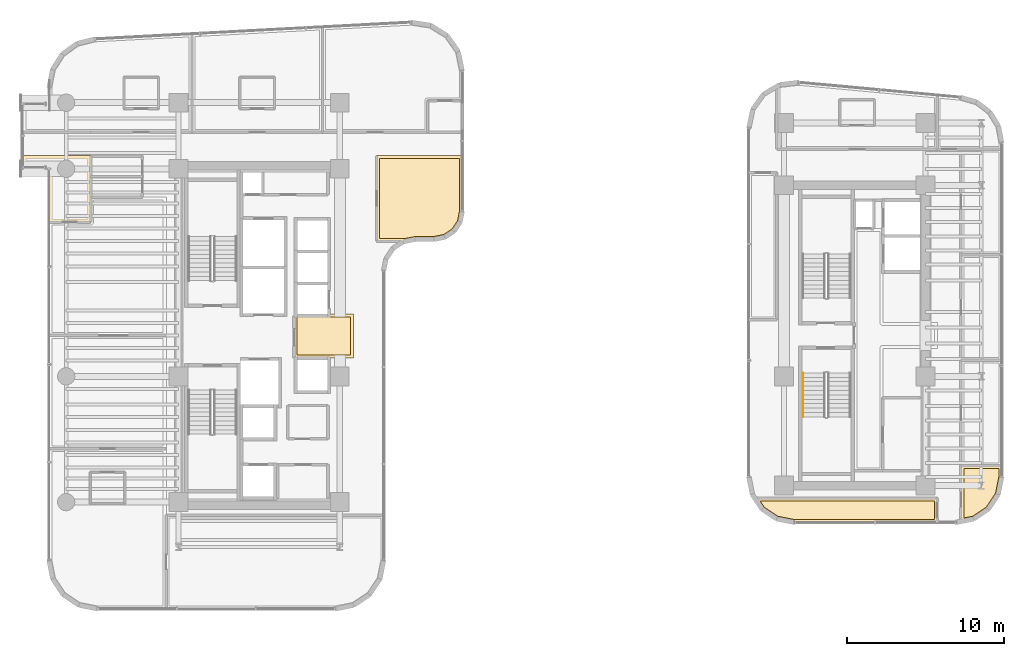
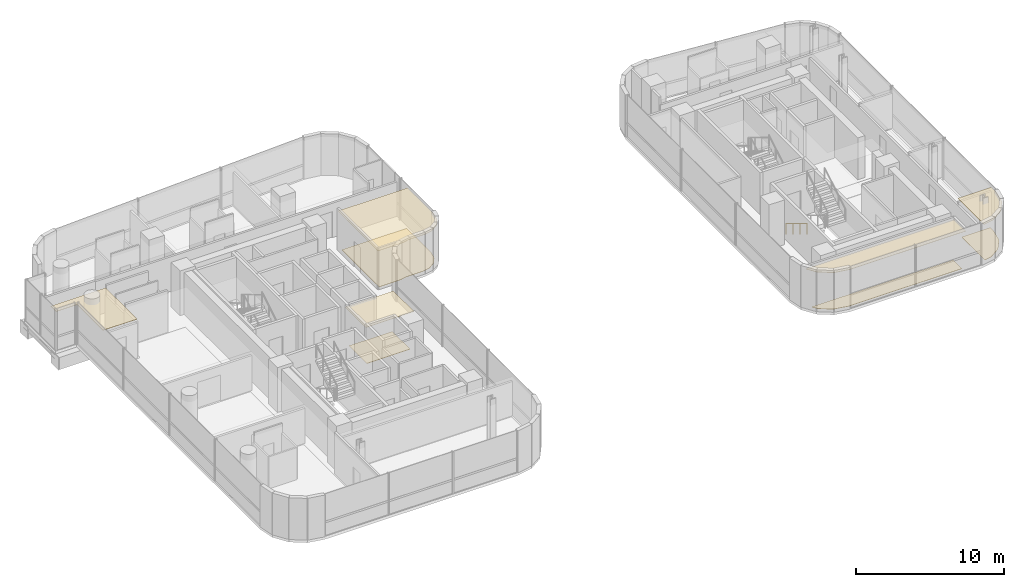
# One storey, part 31 of 33: 9 coverings, 1 railing.
"""IFC4 building model written with IfcOpenShell, lengths in metres."""

from ifc_helpers import new_model, si_unit, direction, frame, origin, origin_2d, place, context, subcontext, project, spatial, polyline, circle, outline, extrude, material, layer, layer_set, type_object, element, save


model = new_model("IFC4")

# Units and contexts
model_context = context("Model", 3, precision=1e-05, world=origin(), true_north=direction((0.0, 1.0)))
body_context = subcontext(model_context, "Body", "Model", "MODEL_VIEW")
ifc_project = project(units=[si_unit("LENGTHUNIT", "METRE"), si_unit("AREAUNIT", "SQUARE_METRE"), si_unit("VOLUMEUNIT", "CUBIC_METRE"), si_unit("PLANEANGLEUNIT", "RADIAN"), si_unit("MASSUNIT", "GRAM", prefix="KILO")], contexts=[model_context])

# Site, building, storey
site_placement = place(None, origin())
site = spatial("IfcSite", under=ifc_project, at=site_placement, CompositionType="ELEMENT")
building_placement = place(site_placement, origin())
building = spatial("IfcBuilding", under=site, at=building_placement, Name="Valdorenza Pilgrim Sanctuary Tower", CompositionType="ELEMENT")
storey_placement = place(building_placement, frame((0.0, 0.0, 157.5)))
storey = spatial("IfcBuildingStorey", under=building, at=storey_placement, Name="L40", CompositionType="ELEMENT", Elevation=157.5)

# Coverings
ifc_material_1 = material(Name="Micro-perforated acoustic mineral ceiling tile", Category="gypsum")
ifc_layer_1 = layer(ifc_material_1, 0.02490234375, Name="Micro-perforated acoustic mineral ceiling tile")
ifc_layer_set_1 = layer_set([ifc_layer_1], Name="Micro-perforated acoustic mineral ceiling tile")
covering_type_1 = type_object("IfcCoveringType", Name="COV-CLG-ACU", PredefinedType="CEILING", material=ifc_layer_set_1)
covering_1_placement = place(storey_placement, frame((0.0, 0.0, 3.159912109375)))
element("IfcCovering", 1, at=covering_1_placement, inside=storey, type_object=covering_type_1, Name="L40 Core A Passenger Lift Lobby Acoustic Ceiling", PredefinedType="CEILING", context=body_context, shape_type="SweptSolid", body=[
    extrude(outline(polyline([(-15.31298828125, 1.244384765625), (-15.31298828125, 1.24462890625), (-15.313720703125, 1.24609375), (-15.314208984375, 1.24755859375), (-15.314697265625, 1.2490234375), (-15.31494140625, 1.25048828125), (-15.31494140625, 1.251953125), (-15.31494140625, 1.35009765625), (-15.31494140625, 1.3515625), (-15.314697265625, 1.352783203125), (-15.314453125, 1.3544921875), (-15.31396484375, 1.355712890625), (-15.313232421875, 1.357177734375), (-15.3125, 1.3583984375), (-15.3115234375, 1.359619140625), (-15.310546875, 1.360595703125), (-15.3095703125, 1.361572265625), (-15.308349609375, 1.362548828125), (-15.30712890625, 1.36328125), (-15.3056640625, 1.364013671875), (-15.304443359375, 1.364501953125), (-15.302978515625, 1.36474609375), (-15.301513671875, 1.364990234375), (-15.300048828125, 1.364990234375), (-15.10205078125, 1.364990234375), (-15.1005859375, 1.364990234375), (-15.09912109375, 1.36474609375), (-15.097412109375, 1.3642578125), (-15.09619140625, 1.36376953125), (-15.0947265625, 1.363037109375), (-15.094482421875, 1.363037109375), (-13.185546875, 1.363037109375), (-13.185302734375, 1.363037109375), (-13.183837890625, 1.36376953125), (-13.1826171875, 1.3642578125), (-13.180908203125, 1.36474609375), (-13.179443359375, 1.364990234375), (-13.177978515625, 1.364990234375), (-11.550048828125, 1.364990234375), (-11.548583984375, 1.364990234375), (-11.547119140625, 1.36474609375), (-11.545654296875, 1.364501953125), (-11.544189453125, 1.364013671875), (-11.54296875, 1.36328125), (-11.541748046875, 1.362548828125), (-11.54052734375, 1.361572265625), (-11.539306640625, 1.360595703125), (-11.538330078125, 1.359619140625), (-11.53759765625, 1.3583984375), (-11.536865234375, 1.357177734375), (-11.5361328125, 1.355712890625), (-11.53564453125, 1.3544921875), (-11.535400390625, 1.352783203125), (-11.53515625, 1.3515625), (-11.534912109375, 1.35009765625), (-11.534912109375, -1.419921875), (-11.53515625, -1.42138671875), (-11.535400390625, -1.4228515625), (-11.53564453125, -1.42431640625), (-11.5361328125, -1.42578125), (-11.536865234375, -1.427001953125), (-11.53759765625, -1.42822265625), (-11.538330078125, -1.429443359375), (-11.539306640625, -1.4306640625), (-11.54052734375, -1.431640625), (-11.541748046875, -1.4326171875), (-11.54296875, -1.43310546875), (-11.544189453125, -1.433837890625), (-11.545654296875, -1.434326171875), (-11.547119140625, -1.434814453125), (-11.548583984375, -1.434814453125), (-11.550048828125, -1.43505859375), (-15.298095703125, -1.43505859375), (-15.299560546875, -1.434814453125), (-15.30078125, -1.434814453125), (-15.302490234375, -1.434326171875), (-15.3037109375, -1.433837890625), (-15.30517578125, -1.43310546875), (-15.306396484375, -1.4326171875), (-15.3076171875, -1.431640625), (-15.30859375, -1.4306640625), (-15.3095703125, -1.429443359375), (-15.310546875, -1.42822265625), (-15.311279296875, -1.427001953125), (-15.31201171875, -1.42578125), (-15.3125, -1.42431640625), (-15.312744140625, -1.4228515625), (-15.31298828125, -1.42138671875), (-15.31298828125, -1.419921875), (-15.31298828125, 1.244384765625)])), origin(), (0.0, 0.0, 1.0), 0.025146484375),
])
covering_2_placement = place(storey_placement, frame((0.0, 0.0, 3.159912109375)))
element("IfcCovering", 2, at=covering_2_placement, inside=storey, type_object=covering_type_1, Name="L40 Pastoral Scholar Office L40-CN1 Acoustic Ceiling", PredefinedType="CEILING", context=body_context, shape_type="SweptSolid", body=[
    extrude(outline(polyline([(-28.237060546875, 8.805419921875), (-28.23681640625, 8.805419921875), (-28.236083984375, 8.803955078125), (-28.235595703125, 8.802490234375), (-28.2353515625, 8.801025390625), (-28.235107421875, 8.799560546875), (-28.235107421875, 8.798095703125), (-28.235107421875, 7.199951171875), (-28.235107421875, 7.198486328125), (-28.2353515625, 7.197021484375), (-28.235595703125, 7.195556640625), (-28.236083984375, 7.1943359375), (-28.23681640625, 7.19287109375), (-28.237548828125, 7.191650390625), (-28.23828125, 7.1904296875), (-28.239501953125, 7.189453125), (-28.240478515625, 7.1884765625), (-28.24169921875, 7.1875), (-28.242919921875, 7.186767578125), (-28.244384765625, 7.18603515625), (-28.24560546875, 7.185546875), (-28.2470703125, 7.185302734375), (-28.24853515625, 7.18505859375), (-28.25, 7.18505859375), (-30.889892578125, 7.18505859375), (-30.8916015625, 7.18505859375), (-30.892822265625, 7.185302734375), (-30.894287109375, 7.185546875), (-30.895751953125, 7.18603515625), (-30.897216796875, 7.186767578125), (-30.898193359375, 7.1875), (-30.8994140625, 7.1884765625), (-30.900634765625, 7.189453125), (-30.901611328125, 7.1904296875), (-30.902587890625, 7.191650390625), (-30.9033203125, 7.19287109375), (-30.90380859375, 7.1943359375), (-30.904296875, 7.195556640625), (-30.90478515625, 7.197021484375), (-30.90478515625, 7.198486328125), (-30.905029296875, 7.199951171875), (-30.905029296875, 10.599609375), (-30.905517578125, 10.609375), (-30.90673828125, 10.618408203125), (-30.9091796875, 10.627685546875), (-30.912109375, 10.63623046875), (-30.916259765625, 10.644775390625), (-30.9208984375, 10.65283203125), (-30.926513671875, 10.660400390625), (-30.932861328125, 10.667236328125), (-30.939697265625, 10.67333984375), (-30.947265625, 10.678955078125), (-30.955078125, 10.683837890625), (-30.963623046875, 10.687744140625), (-30.972412109375, 10.69091796875), (-30.9814453125, 10.693115234375), (-30.99072265625, 10.694580078125), (-31.00048828125, 10.695068359375), (-32.5400390625, 10.695068359375), (-32.54150390625, 10.695068359375), (-32.54296875, 10.6953125), (-32.54443359375, 10.695556640625), (-32.545654296875, 10.696044921875), (-32.547119140625, 10.69677734375), (-32.54833984375, 10.697509765625), (-32.549560546875, 10.698486328125), (-32.550537109375, 10.699462890625), (-32.551513671875, 10.700439453125), (-32.552490234375, 10.70166015625), (-32.55322265625, 10.702880859375), (-32.553955078125, 10.704345703125), (-32.554443359375, 10.70556640625), (-32.5546875, 10.70703125), (-32.554931640625, 10.70849609375), (-32.554931640625, 10.7099609375), (-32.554931640625, 11.419921875), (-32.554931640625, 11.42138671875), (-32.5546875, 11.4228515625), (-32.554443359375, 11.42431640625), (-32.553955078125, 11.42578125), (-32.55322265625, 11.427001953125), (-32.552490234375, 11.42822265625), (-32.551513671875, 11.429443359375), (-32.550537109375, 11.4306640625), (-32.549560546875, 11.431640625), (-32.54833984375, 11.4326171875), (-32.547119140625, 11.43310546875), (-32.545654296875, 11.433837890625), (-32.54443359375, 11.434326171875), (-32.54296875, 11.434814453125), (-32.54150390625, 11.434814453125), (-32.5400390625, 11.43505859375), (-28.25, 11.43505859375), (-28.24853515625, 11.434814453125), (-28.2470703125, 11.434814453125), (-28.24560546875, 11.434326171875), (-28.244384765625, 11.433837890625), (-28.242919921875, 11.43310546875), (-28.24169921875, 11.4326171875), (-28.240478515625, 11.431640625), (-28.239501953125, 11.4306640625), (-28.23828125, 11.429443359375), (-28.237548828125, 11.42822265625), (-28.23681640625, 11.427001953125), (-28.236083984375, 11.42578125), (-28.235595703125, 11.42431640625), (-28.2353515625, 11.4228515625), (-28.235107421875, 11.42138671875), (-28.235107421875, 11.419921875), (-28.235107421875, 11.402099609375), (-28.235107421875, 11.400390625), (-28.2353515625, 11.39892578125), (-28.235595703125, 11.3974609375), (-28.236083984375, 11.39599609375), (-28.23681640625, 11.394775390625), (-28.237060546875, 11.39453125), (-28.237060546875, 10.103759765625), (-28.23681640625, 10.10302734375), (-28.23681640625, 10.1015625), (-28.23681640625, 10.10009765625), (-28.23681640625, 10.098388671875), (-28.237060546875, 10.09814453125), (-28.237060546875, 8.805419921875)])), origin(), (0.0, 0.0, 1.0), 0.025146484375),
])
covering_3_placement = place(storey_placement, frame((0.0, 0.0, 3.159912109375)))
element("IfcCovering", 3, at=covering_3_placement, inside=storey, type_object=covering_type_1, Name="L40 Sacred Art Exhibition Gallery L40-E1 Acoustic Ceiling", PredefinedType="CEILING", context=body_context, shape_type="SweptSolid", body=[
    extrude(outline(polyline([(-10.06494140625, 11.419921875), (-10.06494140625, 11.42138671875), (-10.064697265625, 11.4228515625), (-10.064453125, 11.42431640625), (-10.06396484375, 11.42578125), (-10.063232421875, 11.427001953125), (-10.0625, 11.42822265625), (-10.0615234375, 11.429443359375), (-10.060546875, 11.4306640625), (-10.0595703125, 11.431640625), (-10.058349609375, 11.4326171875), (-10.05712890625, 11.43310546875), (-10.0556640625, 11.433837890625), (-10.054443359375, 11.434326171875), (-10.052978515625, 11.434814453125), (-10.051513671875, 11.434814453125), (-10.050048828125, 11.43505859375), (-4.610107421875, 11.43505859375), (-4.6083984375, 11.434814453125), (-4.607177734375, 11.434814453125), (-4.605712890625, 11.434326171875), (-4.604248046875, 11.433837890625), (-4.602783203125, 11.43310546875), (-4.601806640625, 11.4326171875), (-4.6005859375, 11.431640625), (-4.599365234375, 11.4306640625), (-4.598388671875, 11.429443359375), (-4.597412109375, 11.42822265625), (-4.5966796875, 11.427001953125), (-4.59619140625, 11.42578125), (-4.595703125, 11.42431640625), (-4.59521484375, 11.4228515625), (-4.59521484375, 11.42138671875), (-4.594970703125, 11.419921875), (-4.594970703125, 7.910888671875), (-4.59521484375, 7.909423828125), (-4.59521484375, 7.907958984375), (-4.7333984375, 7.212890625), (-4.73388671875, 7.21142578125), (-4.734375, 7.210205078125), (-4.735107421875, 7.208740234375), (-4.735595703125, 7.20751953125), (-5.123291015625, 6.62744140625), (-5.124267578125, 6.626220703125), (-5.125244140625, 6.625244140625), (-5.126220703125, 6.624267578125), (-5.12744140625, 6.623291015625), (-5.70751953125, 6.235595703125), (-5.708740234375, 6.235107421875), (-5.710205078125, 6.234375), (-5.71142578125, 6.23388671875), (-5.712890625, 6.2333984375), (-6.407958984375, 6.09521484375), (-6.409423828125, 6.09521484375), (-6.410888671875, 6.094970703125), (-7.599609375, 6.094970703125), (-7.609375, 6.094482421875), (-7.618896484375, 6.093017578125), (-8.160888671875, 5.9853515625), (-8.16259765625, 5.985107421875), (-8.1640625, 5.985107421875), (-10.050048828125, 5.985107421875), (-10.051513671875, 5.985107421875), (-10.052978515625, 5.9853515625), (-10.054443359375, 5.985595703125), (-10.0556640625, 5.986083984375), (-10.05712890625, 5.98681640625), (-10.058349609375, 5.987548828125), (-10.0595703125, 5.98828125), (-10.060546875, 5.989501953125), (-10.0615234375, 5.990478515625), (-10.0625, 5.99169921875), (-10.063232421875, 5.992919921875), (-10.06396484375, 5.994384765625), (-10.064453125, 5.99560546875), (-10.064697265625, 5.9970703125), (-10.06494140625, 5.99853515625), (-10.06494140625, 6.0), (-10.06494140625, 11.419921875)])), origin(), (0.0, 0.0, 1.0), 0.025146484375),
])
covering_4_placement = place(storey_placement, frame((0.0, 0.0, 3.159912109375)))
element("IfcCovering", 4, at=covering_4_placement, inside=storey, type_object=covering_type_1, Name="L40 Sacred Manuscript Archive L40-BS Acoustic Ceiling", PredefinedType="CEILING", context=body_context, shape_type="SweptSolid", body=[
    extrude(outline(polyline([(25.614990234375, -11.889892578125), (25.614990234375, -11.8916015625), (25.61474609375, -11.892822265625), (25.614501953125, -11.894287109375), (25.614013671875, -11.895751953125), (25.61328125, -11.897216796875), (25.612548828125, -11.898193359375), (25.611572265625, -11.8994140625), (25.610595703125, -11.900634765625), (25.609619140625, -11.901611328125), (25.6083984375, -11.902587890625), (25.607177734375, -11.9033203125), (25.605712890625, -11.90380859375), (25.6044921875, -11.904296875), (25.602783203125, -11.90478515625), (25.6015625, -11.90478515625), (25.60009765625, -11.905029296875), (16.5107421875, -11.905029296875), (16.509521484375, -11.90478515625), (16.5078125, -11.90478515625), (15.391845703125, -11.6826171875), (15.390380859375, -11.682373046875), (15.38916015625, -11.681884765625), (15.3876953125, -11.68115234375), (15.386474609375, -11.680419921875), (14.44970703125, -11.054443359375), (14.448486328125, -11.0537109375), (14.447509765625, -11.052490234375), (14.4462890625, -11.051513671875), (14.445556640625, -11.05029296875), (13.983154296875, -10.3583984375), (13.982421875, -10.357177734375), (13.981689453125, -10.355712890625), (13.981201171875, -10.3544921875), (13.98095703125, -10.352783203125), (13.980712890625, -10.3515625), (13.980712890625, -10.35009765625), (13.980712890625, -10.348388671875), (13.98095703125, -10.34716796875), (13.981201171875, -10.345703125), (13.981689453125, -10.34423828125), (13.982421875, -10.343017578125), (13.983154296875, -10.341796875), (13.98388671875, -10.340576171875), (13.985107421875, -10.33935546875), (13.986083984375, -10.33837890625), (13.9873046875, -10.33740234375), (13.988525390625, -10.3369140625), (13.989990234375, -10.336181640625), (13.9912109375, -10.335693359375), (13.99267578125, -10.335205078125), (13.994140625, -10.335205078125), (13.99560546875, -10.3349609375), (25.60009765625, -10.3349609375), (25.6015625, -10.335205078125), (25.602783203125, -10.335205078125), (25.6044921875, -10.335693359375), (25.605712890625, -10.336181640625), (25.607177734375, -10.3369140625), (25.6083984375, -10.33740234375), (25.609619140625, -10.33837890625), (25.610595703125, -10.33935546875), (25.611572265625, -10.340576171875), (25.612548828125, -10.341796875), (25.61328125, -10.343017578125), (25.614013671875, -10.34423828125), (25.614501953125, -10.345703125), (25.61474609375, -10.34716796875), (25.614990234375, -10.348388671875), (25.614990234375, -10.35009765625), (25.614990234375, -11.889892578125)])), origin(), (0.0, 0.0, 1.0), 0.025146484375),
])
covering_5_placement = place(storey_placement, frame((0.0, 0.0, 3.159912109375)))
element("IfcCovering", 5, at=covering_5_placement, inside=storey, type_object=covering_type_1, Name="L40 East Sanctuary Scholar Office L40-EG1 Acoustic Ceiling", PredefinedType="CEILING", context=body_context, shape_type="SweptSolid", body=[
    extrude(outline(polyline([(29.482666015625, -10.108154296875), (29.482421875, -10.109619140625), (29.481689453125, -10.11083984375), (29.481201171875, -10.1123046875), (29.48046875, -10.113525390625), (28.8544921875, -11.05029296875), (28.853515625, -11.051513671875), (28.8525390625, -11.052490234375), (28.8515625, -11.0537109375), (28.850341796875, -11.054443359375), (27.91357421875, -11.680419921875), (27.912109375, -11.68115234375), (27.910888671875, -11.681884765625), (27.909423828125, -11.682373046875), (27.908203125, -11.6826171875), (27.102783203125, -11.843017578125), (27.1015625, -11.843017578125), (27.10009765625, -11.84326171875), (27.098388671875, -11.843017578125), (27.09716796875, -11.843017578125), (27.095703125, -11.842529296875), (27.09423828125, -11.842041015625), (27.093017578125, -11.84130859375), (27.091796875, -11.840576171875), (27.090576171875, -11.83984375), (27.08935546875, -11.8388671875), (27.08837890625, -11.837646484375), (27.08740234375, -11.83642578125), (27.0869140625, -11.835205078125), (27.086181640625, -11.833984375), (27.085693359375, -11.83251953125), (27.085205078125, -11.8310546875), (27.085205078125, -11.82958984375), (27.0849609375, -11.828125), (27.0849609375, -8.287109375), (27.085205078125, -8.285400390625), (27.085205078125, -8.2841796875), (27.085693359375, -8.28271484375), (27.086181640625, -8.28125), (27.0869140625, -8.27978515625), (27.08740234375, -8.27880859375), (27.08837890625, -8.277587890625), (27.08935546875, -8.2763671875), (27.090576171875, -8.275390625), (27.091796875, -8.2744140625), (27.093017578125, -8.273681640625), (27.09423828125, -8.273193359375), (27.095703125, -8.272705078125), (27.09716796875, -8.272216796875), (27.098388671875, -8.272216796875), (27.10009765625, -8.27197265625), (29.68994140625, -8.27197265625), (29.69140625, -8.272216796875), (29.69287109375, -8.272216796875), (29.6943359375, -8.272705078125), (29.69580078125, -8.273193359375), (29.697021484375, -8.273681640625), (29.6982421875, -8.2744140625), (29.699462890625, -8.275390625), (29.70068359375, -8.2763671875), (29.70166015625, -8.277587890625), (29.702392578125, -8.27880859375), (29.703125, -8.27978515625), (29.703857421875, -8.28125), (29.704345703125, -8.28271484375), (29.70458984375, -8.2841796875), (29.704833984375, -8.285400390625), (29.705078125, -8.287109375), (29.705078125, -8.9892578125), (29.704833984375, -8.990478515625), (29.70458984375, -8.9921875), (29.482666015625, -10.108154296875)])), origin(), (0.0, 0.0, 1.0), 0.025146484375),
])
ifc_material_2 = material(Name="Honed travertine stone flooring", Category="masonry")
ifc_layer_2 = layer(ifc_material_2, 0.030029296875, Name="Honed travertine stone flooring")
ifc_layer_set_2 = layer_set([ifc_layer_2], Name="Honed travertine stone flooring")
covering_type_2 = type_object("IfcCoveringType", Name="COV-FLR-TRV", PredefinedType="FLOORING", material=ifc_layer_set_2)
covering_6_placement = place(storey_placement, origin())
element("IfcCovering", 6, at=covering_6_placement, inside=storey, type_object=covering_type_2, Name="L40 Core A Passenger Lift Lobby Flooring", PredefinedType="FLOORING", context=body_context, shape_type="SweptSolid", body=[
    extrude(outline(polyline([(-15.117919921875, 1.169189453125), (-15.10888671875, 1.168212890625), (-15.10888671875, 1.168212890625), (-15.10009765625, 1.16796875), (-13.179931640625, 1.16796875), (-13.1796875, 1.16796875), (-11.72998046875, 1.169921875), (-11.72998046875, -1.239990234375), (-15.117919921875, -1.239990234375), (-15.117919921875, 1.169189453125)])), origin(), (0.0, 0.0, 1.0), 0.02490234375),
])
covering_7_placement = place(storey_placement, origin())
element("IfcCovering", 7, at=covering_7_placement, inside=storey, type_object=covering_type_2, Name="L40 Sacred Art Exhibition Gallery L40-E1 Flooring", PredefinedType="FLOORING", context=body_context, shape_type="SweptSolid", body=[
    extrude(outline(polyline([(-9.8701171875, 11.239990234375), (-4.7900390625, 11.239990234375), (-4.7900390625, 7.9287109375), (-4.917724609375, 7.2861328125), (-5.265625, 6.765625), (-5.7861328125, 6.417724609375), (-6.4287109375, 6.2900390625), (-7.60009765625, 6.2900390625), (-7.60888671875, 6.289794921875), (-7.61962890625, 6.289306640625), (-7.63720703125, 6.28759765625), (-7.64794921875, 6.285888671875), (-7.656494140625, 6.284423828125), (-8.181640625, 6.179931640625), (-9.8701171875, 6.179931640625), (-9.8701171875, 11.239990234375)])), origin(), (0.0, 0.0, 1.0), 0.02490234375),
])
covering_8_placement = place(storey_placement, origin())
element("IfcCovering", 8, at=covering_8_placement, inside=storey, type_object=covering_type_2, Name="L40 Sacred Manuscript Archive L40-BS Flooring", PredefinedType="FLOORING", context=body_context, shape_type="SweptSolid", body=[
    extrude(outline(polyline([(25.419921875, -11.7099609375), (16.528564453125, -11.7099609375), (15.465087890625, -11.498291015625), (14.587890625, -10.912109375), (14.33251953125, -10.530029296875), (25.419921875, -10.530029296875), (25.419921875, -11.7099609375)])), origin(), (0.0, 0.0, 1.0), 0.02490234375),
])
covering_9_placement = place(storey_placement, origin())
element("IfcCovering", 9, at=covering_9_placement, inside=storey, type_object=covering_type_2, Name="L40 East Sanctuary Scholar Office L40-EG1 Flooring", PredefinedType="FLOORING", context=body_context, shape_type="SweptSolid", body=[
    extrude(outline(polyline([(29.29833984375, -10.034912109375), (28.712158203125, -10.912109375), (27.8349609375, -11.498291015625), (27.280029296875, -11.60888671875), (27.280029296875, -8.467041015625), (29.510009765625, -8.467041015625), (29.510009765625, -8.971435546875), (29.29833984375, -10.034912109375)])), origin(), (0.0, 0.0, 1.0), 0.02490234375),
])

# Railing
ifc_material_3 = material(Name="Brushed stainless steel Grade 316", Category="steel")
railing_type = type_object("IfcRailingType", Name="RLG-HND-920", PredefinedType="HANDRAIL", material=ifc_material_3)
railing_placement = place(storey_placement, frame((17.050048828125, -2.3798828125, 0.168212890625)))
element("IfcRailing", 10, at=railing_placement, inside=storey, type_object=railing_type, Name="L40 ST-B2 stair handrail 1", PredefinedType="HANDRAIL", context=body_context, shape_type="SweptSolid", body=[
    extrude(circle(Radius=0.02392578125, at=origin_2d()), frame((0.0, 0.0, 0.8759765625), z_axis=(0.0, -0.857242210791, 0.514913383045), x_axis=(1.0, 0.0, 0.0)), (0.0, 0.0, 1.0), 3.266357421875),
    extrude(circle(Radius=0.02099609375, at=origin_2d()), origin(), (0.0, 0.0, 1.0), 0.851806640625),
    extrude(circle(Radius=0.02099609375, at=origin_2d()), frame((0.0, -0.933349609375, 0.560546875)), (0.0, 0.0, 1.0), 0.851806640625),
    extrude(circle(Radius=0.02099609375, at=origin_2d()), frame((0.0, -1.86669921875, 1.121337890625)), (0.0, 0.0, 1.0), 0.851806640625),
    extrude(circle(Radius=0.02099609375, at=origin_2d()), frame((0.0, -2.800048828125, 1.681884765625)), (0.0, 0.0, 1.0), 0.851806640625),
])

save(model, "model.ifc")
